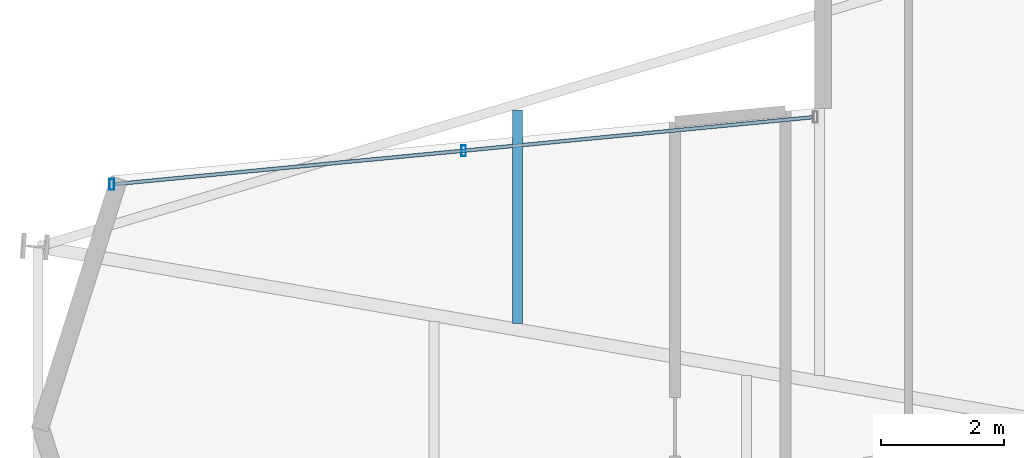
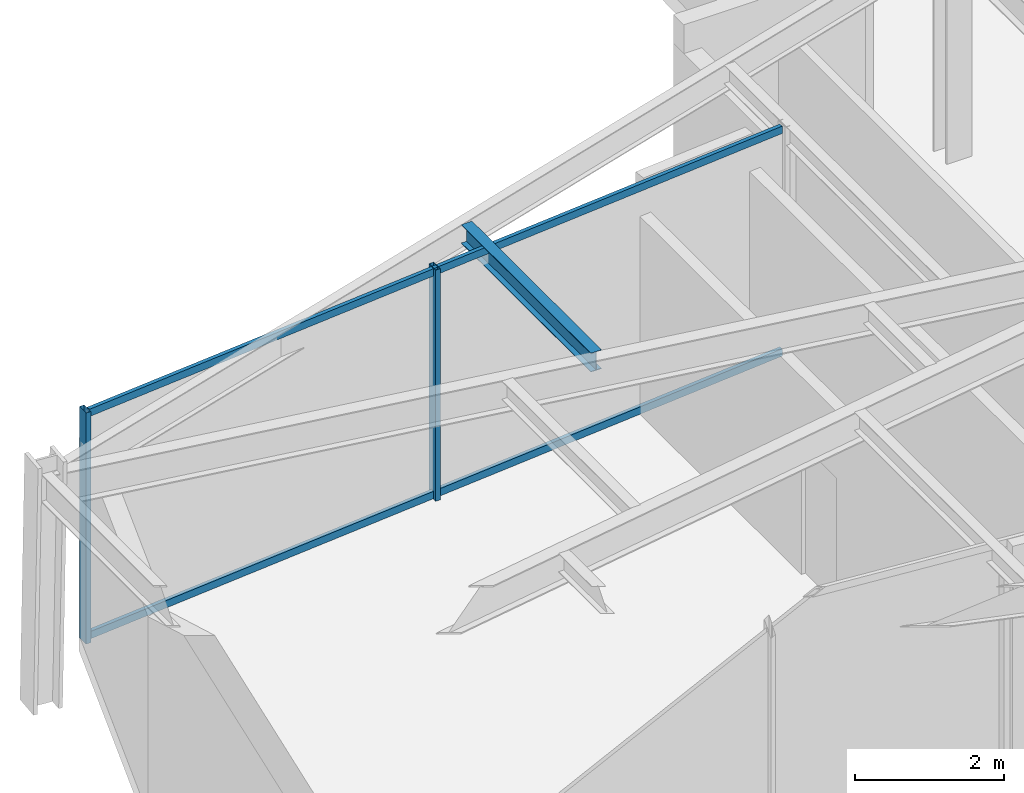
# One storey, part 6 of 18: 4 members, 1 beam, 1 element without a shape of its own.
"""IFC4 building model written with IfcOpenShell, lengths in metres."""

from ifc_helpers import new_model, si_unit, direction, frame, origin, origin_2d, place, context, subcontext, project, spatial, hollow_rectangle, i_section, extrude, material, layer, layer_set, material_profile, profile_set, type_object, element, aggregate, save


model = new_model("IFC4")

# Units and contexts
model_context = context("Model", 3, precision=1e-05, world=origin(), true_north=direction((0.0, 1.0)))
body_context = subcontext(model_context, "Body", "Model", "MODEL_VIEW")
ifc_project = project(units=[si_unit("LENGTHUNIT", "METRE"), si_unit("AREAUNIT", "SQUARE_METRE"), si_unit("VOLUMEUNIT", "CUBIC_METRE"), si_unit("PLANEANGLEUNIT", "RADIAN"), si_unit("MASSUNIT", "GRAM", prefix="KILO")], contexts=[model_context])

# Site, building, storey
site_placement = place(None, origin())
site = spatial("IfcSite", under=ifc_project, at=site_placement, CompositionType="ELEMENT")
building_placement = place(site_placement, origin())
building = spatial("IfcBuilding", under=site, at=building_placement, Name="Veymaron Broadcast Tower", CompositionType="ELEMENT")
storey_placement = place(building_placement, frame((0.0, 0.0, 236.39990234375)))
storey = spatial("IfcBuildingStorey", under=building, at=storey_placement, Name="L55", CompositionType="ELEMENT", Elevation=236.39990234375)

# Beam
ifc_material_1 = material(Name="Structural steel ASTM A992 Gr 50", Category="steel")
ifc_material_profile_1 = material_profile(ifc_material_1, i_section(OverallWidth=0.1650390625, OverallDepth=0.31005859375, WebThickness=0.005859375, FlangeThickness=0.009765625, at=origin_2d()), Name="W310X39")
ifc_profile_set_1 = profile_set([ifc_material_profile_1], Name="Structural steel ASTM A992 Gr 50")
beam_type = type_object("IfcBeamType", Name="BM-JS3", PredefinedType="JOIST", material=ifc_profile_set_1)
beam_placement = place(storey_placement, frame((22.029296875, 25.684814453125, 3.635009765625), z_axis=(0.0, 1.0, 0.0), x_axis=(-1.0, 0.0, 0.0)))
element("IfcBeam", 1, at=beam_placement, inside=storey, type_object=beam_type, Name="L55 Arm-A secondary joist 1N", PredefinedType="JOIST", context=body_context, shape_type="SweptSolid", body=[
    extrude(i_section(OverallWidth=0.1650390625, OverallDepth=0.31005859375, WebThickness=0.005859375, FlangeThickness=0.009765625, at=origin_2d()), origin(), (0.0, 0.0, 1.0), 3.47998046875),
])

# Curtain wall, members
ifc_material_2 = material(Name="Anodised aluminium AA 6063-T6 and laminated low-E dark glass", Category="aluminium")
ifc_layer = layer(ifc_material_2, 0.179931640625)
ifc_layer_set = layer_set([ifc_layer], Name="Anodised aluminium AA 6063-T6 and laminated low-E dark glass")
curtain_wall_type = type_object("IfcCurtainWallType", Name="CW-SYS-05", PredefinedType="NOTDEFINED", material=ifc_layer_set)
curtain_wall_placement = place(storey_placement, origin())
curtain_wall = element("IfcCurtainWall", 2, at=curtain_wall_placement, inside=storey, type_object=curtain_wall_type, Name="L55 dark-glass curtain wall CW-L55-E13-1", PredefinedType="NOTDEFINED")
ifc_material_3 = material(Name="Anodised aluminium AA 6063-T6", Category="aluminium")
ifc_material_profile_2 = material_profile(ifc_material_3, hollow_rectangle(XDim=0.074951171875, YDim=0.179931640625, WallThickness=0.0048828125, at=origin_2d()), Name="AL180X75X5")
ifc_profile_set_2 = profile_set([ifc_material_profile_2], Name="Anodised aluminium AA 6063-T6")
member_type_1 = type_object("IfcMemberType", Name="CW-MUL-02", PredefinedType="MULLION", material=ifc_profile_set_2)
member_1_placement = place(storey_placement, frame((21.1494140625, 28.50244140625, 0.0), z_axis=(0.0, 0.0, 1.0), x_axis=(1.0, 0.0, 0.0)))
member_1 = element("IfcMember", 3, at=member_1_placement, type_object=member_type_1, Name="CW-L55-E13-1 mullion 1", PredefinedType="MULLION", context=body_context, shape_type="SweptSolid", body=[
    extrude(hollow_rectangle(XDim=0.074951171875, YDim=0.179931640625, WallThickness=0.0048828125, at=origin_2d()), origin(), (0.0, 0.0, 1.0), 3.7900390625),
])
member_2_placement = place(storey_placement, frame((15.413330078125, 27.952392578125, 0.0), z_axis=(0.0, 0.0, 1.0), x_axis=(1.0, 0.0, 0.0)))
member_2 = element("IfcMember", 4, at=member_2_placement, type_object=member_type_1, Name="CW-L55-E13-1 mullion 2", PredefinedType="MULLION", context=body_context, shape_type="SweptSolid", body=[
    extrude(hollow_rectangle(XDim=0.074951171875, YDim=0.179931640625, WallThickness=0.0048828125, at=origin_2d()), origin(), (0.0, 0.0, 1.0), 3.7900390625),
])
ifc_material_profile_3 = material_profile(ifc_material_3, hollow_rectangle(XDim=0.06005859375, YDim=0.1201171875, WallThickness=0.00390625, at=origin_2d()), Name="AL120X60X4")
ifc_profile_set_3 = profile_set([ifc_material_profile_3], Name="Anodised aluminium AA 6063-T6")
member_type_2 = type_object("IfcMemberType", Name="CW-TRN-02", PredefinedType="USERDEFINED", material=ifc_profile_set_3)
member_3_placement = place(storey_placement, frame((26.835693359375, 29.0478515625, 0.070068359375), z_axis=(-0.995431475206, -0.09547867913, 0.0), x_axis=(0.09547867913, -0.995431475206, 0.0)))
member_3 = element("IfcMember", 5, at=member_3_placement, type_object=member_type_2, Name="CW-L55-E13-1 transom B", ObjectType="TRANSOM", PredefinedType="USERDEFINED", context=body_context, shape_type="SweptSolid", body=[
    extrude(hollow_rectangle(XDim=0.06005859375, YDim=0.1201171875, WallThickness=0.00390625, at=origin_2d()), origin(), (0.0, 0.0, 1.0), 11.4248046875),
])
member_4_placement = place(storey_placement, frame((26.835693359375, 29.0478515625, 3.72021484375), z_axis=(-0.995431475206, -0.09547867913, 0.0), x_axis=(0.09547867913, -0.995431475206, 0.0)))
member_4 = element("IfcMember", 6, at=member_4_placement, type_object=member_type_2, Name="CW-L55-E13-1 transom T", ObjectType="TRANSOM", PredefinedType="USERDEFINED", context=body_context, shape_type="SweptSolid", body=[
    extrude(hollow_rectangle(XDim=0.06005859375, YDim=0.1201171875, WallThickness=0.00390625, at=origin_2d()), origin(), (0.0, 0.0, 1.0), 11.4248046875),
])
aggregate(curtain_wall, [member_1, member_2, member_3, member_4])

save(model, "model.ifc")
